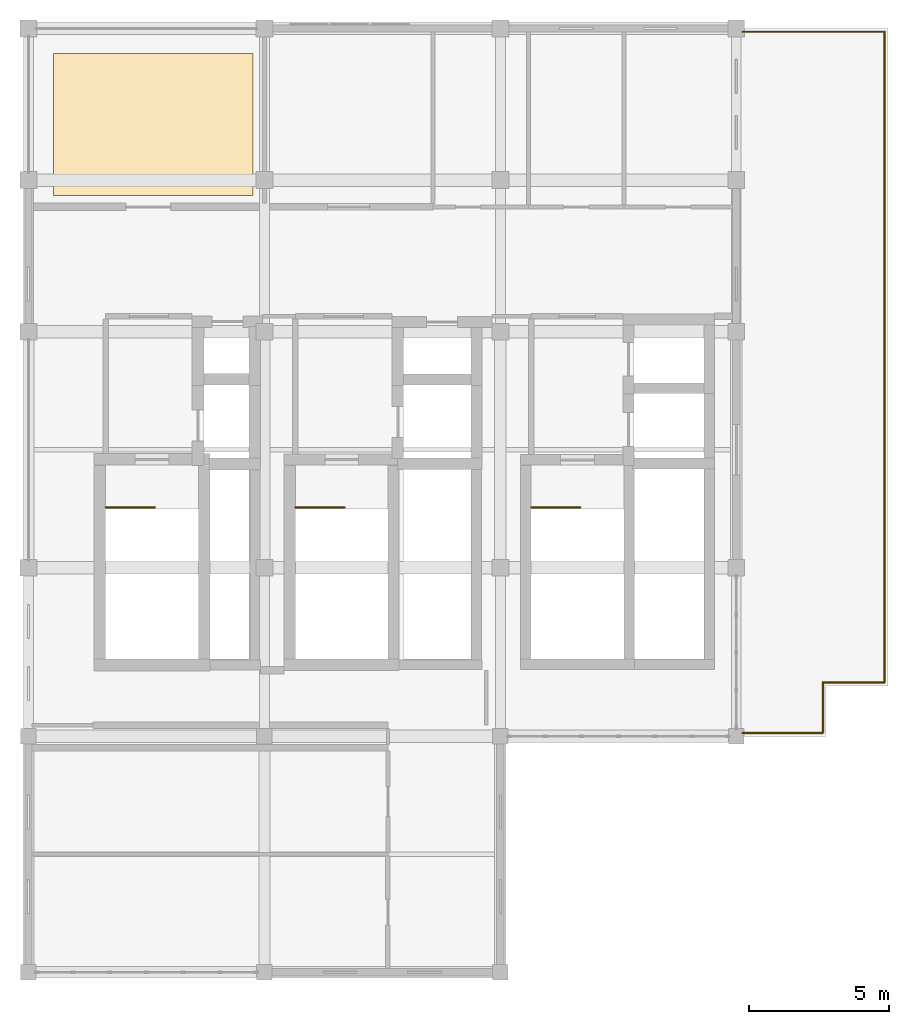
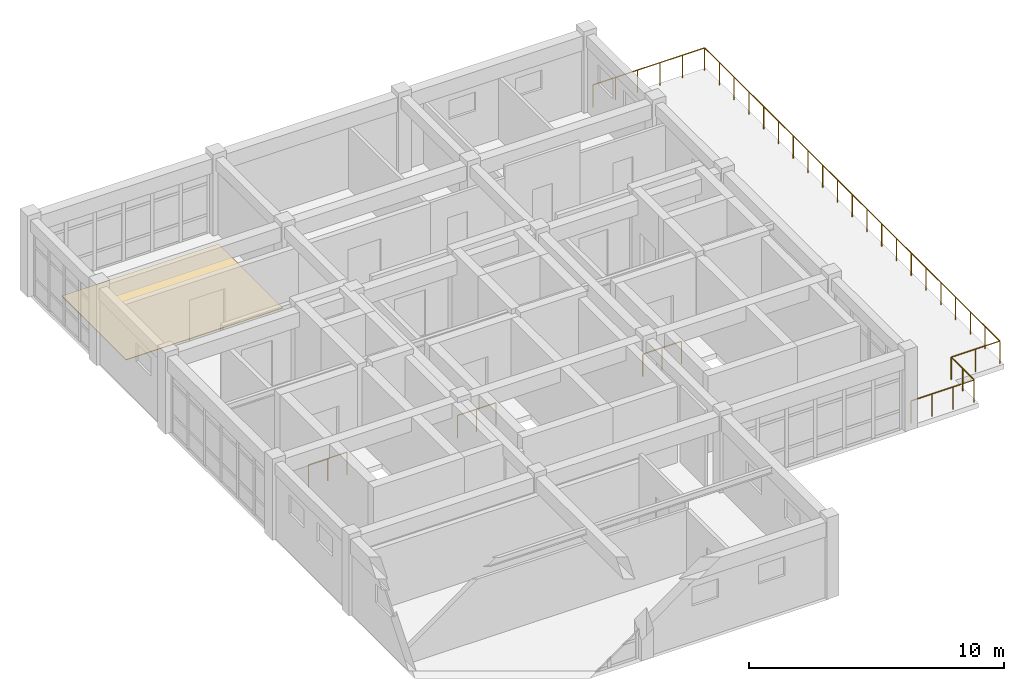
# One storey, part 17 of 17: 8 railings, 1 covering.
"""IFC4 building model written with IfcOpenShell, lengths in metres."""

from ifc_helpers import new_model, si_unit, direction, frame, origin, origin_2d, place, context, subcontext, project, spatial, polyline, circle, outline, extrude, material, layer, layer_set, type_object, element, save


model = new_model("IFC4")

# Units and contexts
model_context = context("Model", 3, precision=1e-05, world=origin(), true_north=direction((0.0, 1.0)))
body_context = subcontext(model_context, "Body", "Model", "MODEL_VIEW")
ifc_project = project(units=[si_unit("LENGTHUNIT", "METRE"), si_unit("AREAUNIT", "SQUARE_METRE"), si_unit("VOLUMEUNIT", "CUBIC_METRE"), si_unit("PLANEANGLEUNIT", "RADIAN"), si_unit("MASSUNIT", "GRAM", prefix="KILO")], contexts=[model_context])

# Site, building, storey
site_placement = place(None, origin())
site = spatial("IfcSite", under=ifc_project, at=site_placement, CompositionType="ELEMENT")
building_placement = place(site_placement, origin())
building = spatial("IfcBuilding", under=site, at=building_placement, Name="Krzemoval Escarpment Law Courts", CompositionType="ELEMENT")
storey_placement = place(building_placement, frame((0.0, 0.0, 42.0)))
storey = spatial("IfcBuildingStorey", under=building, at=storey_placement, Name="L09", CompositionType="ELEMENT", Elevation=42.0)

# Covering
ifc_material_1 = material(Name="Honed Silesian Granite Stone Flooring", Category="masonry")
ifc_layer = layer(ifc_material_1, 0.030029296875)
ifc_layer_set = layer_set([ifc_layer], Name="Honed Silesian Granite Stone Flooring")
covering_type = type_object("IfcCoveringType", Name="COV-FLR-STN30", PredefinedType="FLOORING", material=ifc_layer_set)
covering_placement = place(storey_placement, origin())
element("IfcCovering", 1, at=covering_placement, inside=storey, type_object=covering_type, Name="Stone Floor Finish FLR-L09-51", PredefinedType="FLOORING", context=body_context, shape_type="SweptSolid", body=[
    extrude(outline(polyline([(126.89990234375, 112.85009765625), (126.89990234375, 117.89990234375), (134.0, 117.89990234375), (134.0, 112.85009765625), (126.89990234375, 112.85009765625)])), origin(), (0.0, 0.0, 1.0), 0.030029296875),
])

# Railings
ifc_material_2 = material(Name="Stainless Steel Grade 316L and Laminated Safety Glass Guard", Category="steel")
railing_type_1 = type_object("IfcRailingType", Name="RL-BAL-1100", PredefinedType="BALUSTRADE", material=ifc_material_2)
railing_1_placement = place(storey_placement, frame((151.419921875, 118.679931640625, 0.0)))
element("IfcRailing", 2, at=railing_1_placement, inside=storey, type_object=railing_type_1, Name="Terrace Guardrail BG-L09-047", PredefinedType="BALUSTRADE", context=body_context, shape_type="SweptSolid", body=[
    extrude(circle(Radius=0.02392578125, at=origin_2d()), frame((0.0, 0.0, 1.076171875), z_axis=(1.0, 0.0, 0.0), x_axis=(0.0, 1.0, 0.0)), (0.0, 0.0, 1.0), 5.06005859375),
    extrude(circle(Radius=0.02099609375, at=origin_2d()), origin(), (0.0, 0.0, 1.0), 1.052001953125),
    extrude(circle(Radius=0.02099609375, at=origin_2d()), frame((1.011962890625, 0.0, 0.0)), (0.0, 0.0, 1.0), 1.052001953125),
    extrude(circle(Radius=0.02099609375, at=origin_2d()), frame((2.02392578125, 0.0, 0.0)), (0.0, 0.0, 1.0), 1.052001953125),
    extrude(circle(Radius=0.02099609375, at=origin_2d()), frame((3.0361328125, 0.0, 0.0)), (0.0, 0.0, 1.0), 1.052001953125),
    extrude(circle(Radius=0.02099609375, at=origin_2d()), frame((4.048095703125, 0.0, 0.0)), (0.0, 0.0, 1.0), 1.052001953125),
    extrude(circle(Radius=0.02099609375, at=origin_2d()), frame((5.06005859375, 0.0, 0.0)), (0.0, 0.0, 1.0), 1.052001953125),
])
railing_2_placement = place(storey_placement, frame((156.47998046875, 118.679931640625, 0.0)))
element("IfcRailing", 3, at=railing_2_placement, inside=storey, type_object=railing_type_1, Name="Terrace Guardrail BG-L09-048", PredefinedType="BALUSTRADE", context=body_context, shape_type="SweptSolid", body=[
    extrude(circle(Radius=0.02392578125, at=origin_2d()), frame((0.0, 0.0, 1.076171875), z_axis=(0.0, -1.0, 0.0), x_axis=(1.0, 0.0, 0.0)), (0.0, 0.0, 1.0), 23.159912109375),
    extrude(circle(Radius=0.02099609375, at=origin_2d()), origin(), (0.0, 0.0, 1.0), 1.052001953125),
    extrude(circle(Radius=0.02099609375, at=origin_2d()), frame((0.0, -1.157958984375, 0.0)), (0.0, 0.0, 1.0), 1.052001953125),
    extrude(circle(Radius=0.02099609375, at=origin_2d()), frame((0.0, -2.31591796875, 0.0)), (0.0, 0.0, 1.0), 1.052001953125),
    extrude(circle(Radius=0.02099609375, at=origin_2d()), frame((0.0, -3.473876953125, 0.0)), (0.0, 0.0, 1.0), 1.052001953125),
    extrude(circle(Radius=0.02099609375, at=origin_2d()), frame((0.0, -4.632080078125, 0.0)), (0.0, 0.0, 1.0), 1.052001953125),
    extrude(circle(Radius=0.02099609375, at=origin_2d()), frame((0.0, -5.7900390625, 0.0)), (0.0, 0.0, 1.0), 1.052001953125),
    extrude(circle(Radius=0.02099609375, at=origin_2d()), frame((0.0, -6.947998046875, 0.0)), (0.0, 0.0, 1.0), 1.052001953125),
    extrude(circle(Radius=0.02099609375, at=origin_2d()), frame((0.0, -8.10595703125, 0.0)), (0.0, 0.0, 1.0), 1.052001953125),
    extrude(circle(Radius=0.02099609375, at=origin_2d()), frame((0.0, -9.263916015625, 0.0)), (0.0, 0.0, 1.0), 1.052001953125),
    extrude(circle(Radius=0.02099609375, at=origin_2d()), frame((0.0, -10.421875, 0.0)), (0.0, 0.0, 1.0), 1.052001953125),
    extrude(circle(Radius=0.02099609375, at=origin_2d()), frame((0.0, -11.580078125, 0.0)), (0.0, 0.0, 1.0), 1.052001953125),
    extrude(circle(Radius=0.02099609375, at=origin_2d()), frame((0.0, -12.738037109375, 0.0)), (0.0, 0.0, 1.0), 1.052001953125),
    extrude(circle(Radius=0.02099609375, at=origin_2d()), frame((0.0, -13.89599609375, 0.0)), (0.0, 0.0, 1.0), 1.052001953125),
    extrude(circle(Radius=0.02099609375, at=origin_2d()), frame((0.0, -15.053955078125, 0.0)), (0.0, 0.0, 1.0), 1.052001953125),
    extrude(circle(Radius=0.02099609375, at=origin_2d()), frame((0.0, -16.2119140625, 0.0)), (0.0, 0.0, 1.0), 1.052001953125),
    extrude(circle(Radius=0.02099609375, at=origin_2d()), frame((0.0, -17.369873046875, 0.0)), (0.0, 0.0, 1.0), 1.052001953125),
    extrude(circle(Radius=0.02099609375, at=origin_2d()), frame((0.0, -18.52783203125, 0.0)), (0.0, 0.0, 1.0), 1.052001953125),
    extrude(circle(Radius=0.02099609375, at=origin_2d()), frame((0.0, -19.68603515625, 0.0)), (0.0, 0.0, 1.0), 1.052001953125),
    extrude(circle(Radius=0.02099609375, at=origin_2d()), frame((0.0, -20.843994140625, 0.0)), (0.0, 0.0, 1.0), 1.052001953125),
    extrude(circle(Radius=0.02099609375, at=origin_2d()), frame((0.0, -22.001953125, 0.0)), (0.0, 0.0, 1.0), 1.052001953125),
    extrude(circle(Radius=0.02099609375, at=origin_2d()), frame((0.0, -23.159912109375, 0.0)), (0.0, 0.0, 1.0), 1.052001953125),
])
railing_3_placement = place(storey_placement, frame((156.47998046875, 95.52001953125, 0.0)))
element("IfcRailing", 4, at=railing_3_placement, inside=storey, type_object=railing_type_1, Name="Terrace Guardrail BG-L09-049", PredefinedType="BALUSTRADE", context=body_context, shape_type="SweptSolid", body=[
    extrude(circle(Radius=0.02392578125, at=origin_2d()), frame((0.0, 0.0, 1.076171875), z_axis=(-1.0, 0.0, 0.0), x_axis=(0.0, -1.0, 0.0)), (0.0, 0.0, 1.0), 2.199951171875),
    extrude(circle(Radius=0.02099609375, at=origin_2d()), origin(), (0.0, 0.0, 1.0), 1.052001953125),
    extrude(circle(Radius=0.02099609375, at=origin_2d()), frame((-1.10009765625, 0.0, 0.0)), (0.0, 0.0, 1.0), 1.052001953125),
    extrude(circle(Radius=0.02099609375, at=origin_2d()), frame((-2.199951171875, 0.0, 0.0)), (0.0, 0.0, 1.0), 1.052001953125),
])
railing_4_placement = place(storey_placement, frame((154.280029296875, 95.52001953125, 0.0)))
element("IfcRailing", 5, at=railing_4_placement, inside=storey, type_object=railing_type_1, Name="Terrace Guardrail BG-L09-050", PredefinedType="BALUSTRADE", context=body_context, shape_type="SweptSolid", body=[
    extrude(circle(Radius=0.02392578125, at=origin_2d()), frame((0.0, 0.0, 1.076171875), z_axis=(0.0, -1.0, 0.0), x_axis=(1.0, 0.0, 0.0)), (0.0, 0.0, 1.0), 1.800048828125),
    extrude(circle(Radius=0.02099609375, at=origin_2d()), origin(), (0.0, 0.0, 1.0), 1.052001953125),
    extrude(circle(Radius=0.02099609375, at=origin_2d()), frame((0.0, -0.89990234375, 0.0)), (0.0, 0.0, 1.0), 1.052001953125),
    extrude(circle(Radius=0.02099609375, at=origin_2d()), frame((0.0, -1.800048828125, 0.0)), (0.0, 0.0, 1.0), 1.052001953125),
])
railing_5_placement = place(storey_placement, frame((154.280029296875, 93.719970703125, 0.0)))
element("IfcRailing", 6, at=railing_5_placement, inside=storey, type_object=railing_type_1, Name="Terrace Guardrail BG-L09-051", PredefinedType="BALUSTRADE", context=body_context, shape_type="SweptSolid", body=[
    extrude(circle(Radius=0.02392578125, at=origin_2d()), frame((0.0, 0.0, 1.076171875), z_axis=(-1.0, 0.0, 0.0), x_axis=(0.0, -1.0, 0.0)), (0.0, 0.0, 1.0), 2.860107421875),
    extrude(circle(Radius=0.02099609375, at=origin_2d()), origin(), (0.0, 0.0, 1.0), 1.052001953125),
    extrude(circle(Radius=0.02099609375, at=origin_2d()), frame((-0.953369140625, 0.0, 0.0)), (0.0, 0.0, 1.0), 1.052001953125),
    extrude(circle(Radius=0.02099609375, at=origin_2d()), frame((-1.90673828125, 0.0, 0.0)), (0.0, 0.0, 1.0), 1.052001953125),
    extrude(circle(Radius=0.02099609375, at=origin_2d()), frame((-2.860107421875, 0.0, 0.0)), (0.0, 0.0, 1.0), 1.052001953125),
])
ifc_material_3 = material(Name="Galvanised Steel S355", Category="steel")
railing_type_2 = type_object("IfcRailingType", Name="RL-GRD-1100", PredefinedType="GUARDRAIL", material=ifc_material_3)
for number, where, name in (
    (7, (128.75, 101.75, 0.0), "L09 ST1 top well guard 1"),
    (8, (135.5, 101.75, 0.0), "L09 ST2 top well guard 1"),
    (9, (143.89990234375, 101.75, 0.0), "L09 ST3 top well guard 1"),
):
    element("IfcRailing", number, at=place(storey_placement, frame(where)), inside=storey, type_object=railing_type_2, Name=name, PredefinedType="GUARDRAIL", context=body_context, shape_type="SweptSolid", body=[
        extrude(circle(Radius=0.02392578125, at=origin_2d()), frame((0.0, 0.0, 1.076171875), z_axis=(1.0, 0.0, 0.0), x_axis=(0.0, 1.0, 0.0)), (0.0, 0.0, 1.0), 1.75),
        extrude(circle(Radius=0.02099609375, at=origin_2d()), origin(), (0.0, 0.0, 1.0), 1.052001953125),
        extrude(circle(Radius=0.02099609375, at=origin_2d()), frame((0.875, 0.0, 0.0)), (0.0, 0.0, 1.0), 1.052001953125),
        extrude(circle(Radius=0.02099609375, at=origin_2d()), frame((1.75, 0.0, 0.0)), (0.0, 0.0, 1.0), 1.052001953125),
    ])

save(model, "model.ifc")
